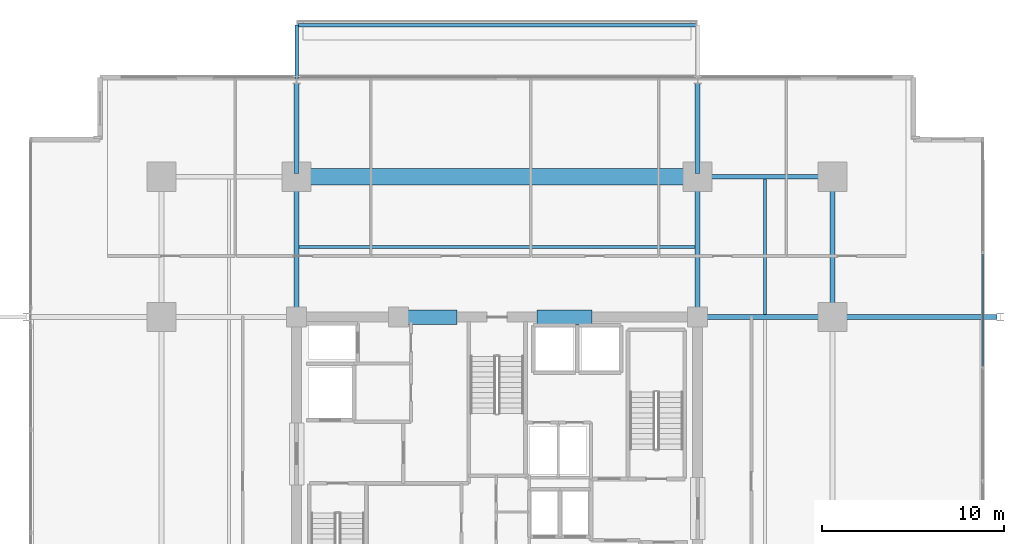
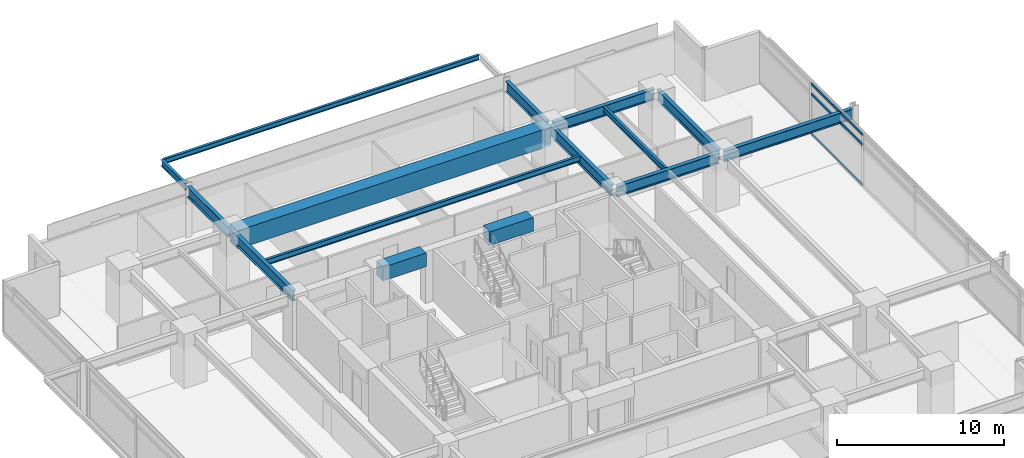
# One storey, part 10 of 22: 15 beams, 3 members, 1 element without a shape of its own.
"""IFC4 building model written with IfcOpenShell, lengths in metres."""

from ifc_helpers import new_model, si_unit, direction, frame, origin, origin_2d, place, context, subcontext, project, spatial, rectangle, hollow_rectangle, i_section, extrude, material, material_profile, profile_set, type_object, element, aggregate, save


model = new_model("IFC4")

# Units and contexts
model_context = context("Model", 3, precision=1e-05, world=origin(), true_north=direction((0.0, 1.0)))
body_context = subcontext(model_context, "Body", "Model", "MODEL_VIEW")
ifc_project = project(units=[si_unit("LENGTHUNIT", "METRE"), si_unit("AREAUNIT", "SQUARE_METRE"), si_unit("VOLUMEUNIT", "CUBIC_METRE"), si_unit("PLANEANGLEUNIT", "RADIAN"), si_unit("MASSUNIT", "GRAM", prefix="KILO")], contexts=[model_context])

# Site, building, storey
site_placement = place(None, origin())
site = spatial("IfcSite", under=ifc_project, at=site_placement, CompositionType="ELEMENT")
building_placement = place(site_placement, origin())
building = spatial("IfcBuilding", under=site, at=building_placement, Name="Kovane Verandah Tower", CompositionType="ELEMENT")
storey_placement = place(building_placement, frame((0.0, 0.0, 156.39990234375)))
storey = spatial("IfcBuildingStorey", under=building, at=storey_placement, Name="L36", CompositionType="ELEMENT", Elevation=156.39990234375)

# Beams
ifc_material_1 = material(Name="Concrete C60/75", Category="concrete")
ifc_material_profile_1 = material_profile(ifc_material_1, rectangle(XDim=0.800048828125, YDim=1.0, at=origin_2d()), Name="RCB800x1000")
ifc_profile_set_1 = profile_set([ifc_material_profile_1], Name="Concrete C60/75")
beam_type_1 = type_object("IfcBeamType", Name="BM-LINTEL-800x1000", PredefinedType="LINTEL", material=ifc_profile_set_1)
for number, where, z_axis, x_axis, name in (
    (1, (34.800048828125, 36.5, 3.275146484375), (1.0, 0.0, 0.0), (0.0, 1.0, 0.0), "L36 Core Coupling Lintel CL-N1"),
    (2, (42.199951171875, 36.5, 3.275146484375), (1.0, 0.0, 0.0), (0.0, 1.0, 0.0), "L36 Core Coupling Lintel CL-N2"),
):
    element("IfcBeam", number, at=place(storey_placement, frame(where, z_axis=z_axis, x_axis=x_axis)), inside=storey, type_object=beam_type_1, Name=name, PredefinedType="LINTEL", context=body_context, shape_type="SweptSolid", body=[
        extrude(rectangle(XDim=0.800048828125, YDim=1.0, at=origin_2d()), origin(), (0.0, 0.0, 1.0), 3.0),
    ])
ifc_material_2 = material(Name="Concrete C80/95", Category="concrete")
ifc_material_profile_2 = material_profile(ifc_material_2, rectangle(XDim=0.89990234375, YDim=1.35009765625, at=origin_2d()), Name="RCB900x1350")
ifc_profile_set_2 = profile_set([ifc_material_profile_2], Name="Concrete C80/95")
beam_type_2 = type_object("IfcBeamType", Name="BM-TR-900x1350", PredefinedType="BEAM", material=ifc_profile_set_2)
beam_1_placement = place(storey_placement, frame((29.179931640625, 44.199951171875, 3.10009765625), z_axis=(1.0, 0.0, 0.0), x_axis=(0.0, 1.0, 0.0)))
element("IfcBeam", 3, at=beam_1_placement, inside=storey, type_object=beam_type_2, Name="L36 Primary Tower Girder G-RN2", PredefinedType="BEAM", context=body_context, shape_type="SweptSolid", body=[
    extrude(rectangle(XDim=0.89990234375, YDim=1.35009765625, at=origin_2d()), origin(), (0.0, 0.0, 1.0), 21.64013671875),
])
ifc_material_3 = material(Name="Steel S355", Category="steel")
ifc_material_profile_3 = material_profile(ifc_material_3, i_section(OverallWidth=0.26806640625, OverallDepth=0.769775390625, WebThickness=0.015625, FlangeThickness=0.025390625, FilletRadius=0.0166015625, at=origin_2d()), Name="UB762x267x197")
ifc_profile_set_3 = profile_set([ifc_material_profile_3], Name="Steel S355")
beam_type_3 = type_object("IfcBeamType", Name="BM-UB762x197", PredefinedType="BEAM", material=ifc_profile_set_3)
beam_2_placement = place(storey_placement, frame((51.179931640625, 44.199951171875, 3.39013671875), z_axis=(1.0, 0.0, 0.0), x_axis=(0.0, 1.0, 0.0)))
element("IfcBeam", 4, at=beam_2_placement, inside=storey, type_object=beam_type_3, Name="L36 Primary Tower Girder G-RN3", PredefinedType="BEAM", context=body_context, shape_type="SweptSolid", body=[
    extrude(i_section(OverallWidth=0.26806640625, OverallDepth=0.769775390625, WebThickness=0.015625, FlangeThickness=0.025390625, FilletRadius=0.0166015625, at=origin_2d()), origin(), (0.0, 0.0, 1.0), 7.0400390625),
])
beam_3_placement = place(storey_placement, frame((58.39990234375, 36.679931640625, 3.39013671875), z_axis=(0.0, 1.0, 0.0), x_axis=(-1.0, 0.0, 0.0)))
element("IfcBeam", 5, at=beam_3_placement, inside=storey, type_object=beam_type_3, Name="L36 Primary Tower Girder G-RE3", PredefinedType="BEAM", context=body_context, shape_type="SweptSolid", body=[
    extrude(i_section(OverallWidth=0.26806640625, OverallDepth=0.769775390625, WebThickness=0.015625, FlangeThickness=0.025390625, FilletRadius=0.0166015625, at=origin_2d()), origin(), (0.0, 0.0, 1.0), 7.340087890625),
])
beam_4_placement = place(storey_placement, frame((51.179931640625, 36.5, 3.39013671875), z_axis=(1.0, 0.0, 0.0), x_axis=(0.0, 1.0, 0.0)))
element("IfcBeam", 6, at=beam_4_placement, inside=storey, type_object=beam_type_3, Name="L36 Primary Tower Girder G-E2", PredefinedType="BEAM", context=body_context, shape_type="SweptSolid", body=[
    extrude(i_section(OverallWidth=0.26806640625, OverallDepth=0.769775390625, WebThickness=0.015625, FlangeThickness=0.025390625, FilletRadius=0.0166015625, at=origin_2d()), origin(), (0.0, 0.0, 1.0), 7.0400390625),
])
for number, where, z_axis, x_axis, name in (
    (7, (29.0, 36.679931640625, 3.39013671875), (0.0, 1.0, 0.0), (-1.0, 0.0, 0.0), "L36 Primary Tower Girder G-N1"),
    (8, (51.0, 36.679931640625, 3.39013671875), (0.0, 1.0, 0.0), (-1.0, 0.0, 0.0), "L36 Primary Tower Girder G-N2"),
):
    element("IfcBeam", number, at=place(storey_placement, frame(where, z_axis=z_axis, x_axis=x_axis)), inside=storey, type_object=beam_type_3, Name=name, PredefinedType="BEAM", context=body_context, shape_type="SweptSolid", body=[
        extrude(i_section(OverallWidth=0.26806640625, OverallDepth=0.769775390625, WebThickness=0.015625, FlangeThickness=0.025390625, FilletRadius=0.0166015625, at=origin_2d()), origin(), (0.0, 0.0, 1.0), 7.340087890625),
    ])
beam_5_placement = place(storey_placement, frame((58.580078125, 36.5, 3.375244140625), z_axis=(1.0, 0.0, 0.0), x_axis=(0.0, 1.0, 0.0)))
element("IfcBeam", 9, at=beam_5_placement, inside=storey, type_object=beam_type_3, Name="L36 Primary Tower Girder G-VE2", PredefinedType="BEAM", context=body_context, shape_type="SweptSolid", body=[
    extrude(i_section(OverallWidth=0.26806640625, OverallDepth=0.769775390625, WebThickness=0.015625, FlangeThickness=0.025390625, FilletRadius=0.0166015625, at=origin_2d()), origin(), (0.0, 0.0, 1.0), 8.83984375),
])
for number, where, z_axis, x_axis, name in (
    (10, (29.0, 44.3798828125, 3.375244140625), (0.0, 1.0, 0.0), (-1.0, 0.0, 0.0), "L36 Primary Tower Girder G-VN1"),
    (11, (51.0, 44.3798828125, 3.375244140625), (0.0, 1.0, 0.0), (-1.0, 0.0, 0.0), "L36 Primary Tower Girder G-VN2"),
):
    element("IfcBeam", number, at=place(storey_placement, frame(where, z_axis=z_axis, x_axis=x_axis)), inside=storey, type_object=beam_type_3, Name=name, PredefinedType="BEAM", context=body_context, shape_type="SweptSolid", body=[
        extrude(i_section(OverallWidth=0.26806640625, OverallDepth=0.769775390625, WebThickness=0.015625, FlangeThickness=0.025390625, FilletRadius=0.0166015625, at=origin_2d()), origin(), (0.0, 0.0, 1.0), 4.940185546875),
    ])

# Curtain wall, members
ifc_material_4 = material(Name="Champagne Anodised Aluminium Frame with Low-E Clear Laminated Glass", Category="aluminium")
curtain_wall_type = type_object("IfcCurtainWallType", Name="CW-SYS-03-MID", PredefinedType="NOTDEFINED", material=ifc_material_4)
curtain_wall_placement = place(storey_placement, origin())
curtain_wall = element("IfcCurtainWall", 12, at=curtain_wall_placement, inside=storey, type_object=curtain_wall_type, Name="L36 E Unitised Curtain Wall", PredefinedType="NOTDEFINED")
ifc_material_5 = material(Name="Champagne Anodised Aluminium 6063-T6", Category="aluminium")
ifc_material_profile_4 = material_profile(ifc_material_5, hollow_rectangle(XDim=0.0849609375, YDim=0.18994140625, WallThickness=0.00390625, at=origin_2d()), Name="AL85x190x4")
ifc_profile_set_4 = profile_set([ifc_material_profile_4], Name="Champagne Anodised Aluminium 6063-T6")
member_type = type_object("IfcMemberType", Name="CW-TRN-85x190", PredefinedType="USERDEFINED", material=ifc_profile_set_4)
member_1_placement = place(storey_placement, frame((66.64208984375, 33.798583984375, 0.050048828125), z_axis=(0.0, 1.0, 0.0), x_axis=(-1.0, 0.0, 0.0)))
member_1 = element("IfcMember", 13, at=member_1_placement, type_object=member_type, Name="L36 E Unitised Curtain Wall Transom TB Bay 5", ObjectType="TRANSOM", PredefinedType="USERDEFINED", context=body_context, shape_type="SweptSolid", body=[
    extrude(hollow_rectangle(XDim=0.0849609375, YDim=0.18994140625, WallThickness=0.00390625, at=origin_2d()), origin(), (0.0, 0.0, 1.0), 6.14892578125),
])
member_2_placement = place(storey_placement, frame((66.64208984375, 33.798583984375, 2.9951171875), z_axis=(0.0, 1.0, 0.0), x_axis=(-1.0, 0.0, 0.0)))
member_2 = element("IfcMember", 14, at=member_2_placement, type_object=member_type, Name="L36 E Unitised Curtain Wall Transom TM Bay 5", ObjectType="TRANSOM", PredefinedType="USERDEFINED", context=body_context, shape_type="SweptSolid", body=[
    extrude(hollow_rectangle(XDim=0.0849609375, YDim=0.18994140625, WallThickness=0.00390625, at=origin_2d()), origin(), (0.0, 0.0, 1.0), 6.14892578125),
])
member_3_placement = place(storey_placement, frame((66.64208984375, 33.798583984375, 3.72509765625), z_axis=(0.0, 1.0, 0.0), x_axis=(-1.0, 0.0, 0.0)))
member_3 = element("IfcMember", 15, at=member_3_placement, type_object=member_type, Name="L36 E Unitised Curtain Wall Transom TT Bay 5", ObjectType="TRANSOM", PredefinedType="USERDEFINED", context=body_context, shape_type="SweptSolid", body=[
    extrude(hollow_rectangle(XDim=0.0849609375, YDim=0.18994140625, WallThickness=0.00390625, at=origin_2d()), origin(), (0.0, 0.0, 1.0), 6.14892578125),
])
aggregate(curtain_wall, [member_1, member_2, member_3])

# Beams
ifc_material_profile_5 = material_profile(ifc_material_3, i_section(OverallWidth=0.179443359375, OverallDepth=0.412841796875, WebThickness=0.009521484375, FlangeThickness=0.01611328125, FilletRadius=0.01025390625, at=origin_2d()), Name="UB406x178x74")
ifc_profile_set_5 = profile_set([ifc_material_profile_5], Name="Steel S355")
beam_type_4 = type_object("IfcBeamType", Name="JST-UB406x74", PredefinedType="JOIST", material=ifc_profile_set_5)
beam_6_placement = place(storey_placement, frame((29.132080078125, 40.35009765625, 3.568603515625), z_axis=(1.0, 0.0, 0.0), x_axis=(0.0, 1.0, 0.0)))
element("IfcBeam", 16, at=beam_6_placement, inside=storey, type_object=beam_type_4, Name="L36 Secondary Composite Joist J-N1", PredefinedType="JOIST", context=body_context, shape_type="SweptSolid", body=[
    extrude(i_section(OverallWidth=0.179443359375, OverallDepth=0.412841796875, WebThickness=0.009521484375, FlangeThickness=0.01611328125, FilletRadius=0.01025390625, at=origin_2d()), origin(), (0.0, 0.0, 1.0), 21.73583984375),
])
beam_7_placement = place(storey_placement, frame((54.699951171875, 36.632080078125, 3.568603515625), z_axis=(0.0, 1.0, 0.0), x_axis=(-1.0, 0.0, 0.0)))
element("IfcBeam", 17, at=beam_7_placement, inside=storey, type_object=beam_type_4, Name="L36 Secondary Composite Joist J-NE1", PredefinedType="JOIST", context=body_context, shape_type="SweptSolid", body=[
    extrude(i_section(OverallWidth=0.179443359375, OverallDepth=0.412841796875, WebThickness=0.009521484375, FlangeThickness=0.01611328125, FilletRadius=0.01025390625, at=origin_2d()), origin(), (0.0, 0.0, 1.0), 7.43603515625),
])
ifc_material_profile_6 = material_profile(ifc_material_3, i_section(OverallWidth=0.19287109375, OverallDepth=0.46728515625, WebThickness=0.011474609375, FlangeThickness=0.01953125, FilletRadius=0.01025390625, at=origin_2d()), Name="UB457x191x98")
ifc_profile_set_6 = profile_set([ifc_material_profile_6], Name="Steel S355")
beam_type_5 = type_object("IfcBeamType", Name="JST-UB457x98", PredefinedType="JOIST", material=ifc_profile_set_6)
beam_8_placement = place(storey_placement, frame((29.0, 49.580078125, 3.526611328125), z_axis=(0.0, 1.0, 0.0), x_axis=(-1.0, 0.0, 0.0)))
element("IfcBeam", 18, at=beam_8_placement, inside=storey, type_object=beam_type_5, Name="L36 North Planter Girder 1", PredefinedType="JOIST", context=body_context, shape_type="SweptSolid", body=[
    extrude(i_section(OverallWidth=0.19287109375, OverallDepth=0.46728515625, WebThickness=0.011474609375, FlangeThickness=0.01953125, FilletRadius=0.01025390625, at=origin_2d()), origin(), (0.0, 0.0, 1.0), 2.93115234375),
])
ifc_material_profile_7 = material_profile(ifc_material_3, i_section(OverallWidth=0.173095703125, OverallDepth=0.36328125, WebThickness=0.009033203125, FlangeThickness=0.015625, FilletRadius=0.01025390625, at=origin_2d()), Name="UB356x171x67")
ifc_profile_set_7 = profile_set([ifc_material_profile_7], Name="Steel S355")
beam_type_6 = type_object("IfcBeamType", Name="SPD-UB356x67", PredefinedType="USERDEFINED", material=ifc_profile_set_7)
beam_9_placement = place(storey_placement, frame((29.094482421875, 52.51123046875, 3.578369140625), z_axis=(1.0, 0.0, 0.0), x_axis=(0.0, 1.0, 0.0)))
element("IfcBeam", 19, at=beam_9_placement, inside=storey, type_object=beam_type_6, Name="L36 North Planter Edge Spandrel", ObjectType="SPANDREL", PredefinedType="USERDEFINED", context=body_context, shape_type="SweptSolid", body=[
    extrude(i_section(OverallWidth=0.173095703125, OverallDepth=0.36328125, WebThickness=0.009033203125, FlangeThickness=0.015625, FilletRadius=0.01025390625, at=origin_2d()), origin(), (0.0, 0.0, 1.0), 21.81103515625),
])

save(model, "model.ifc")
